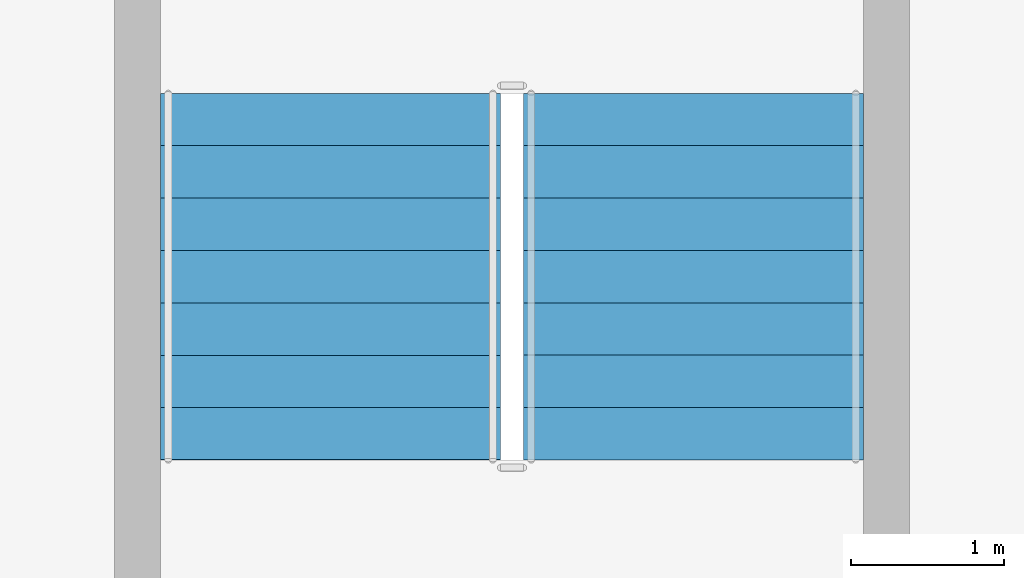
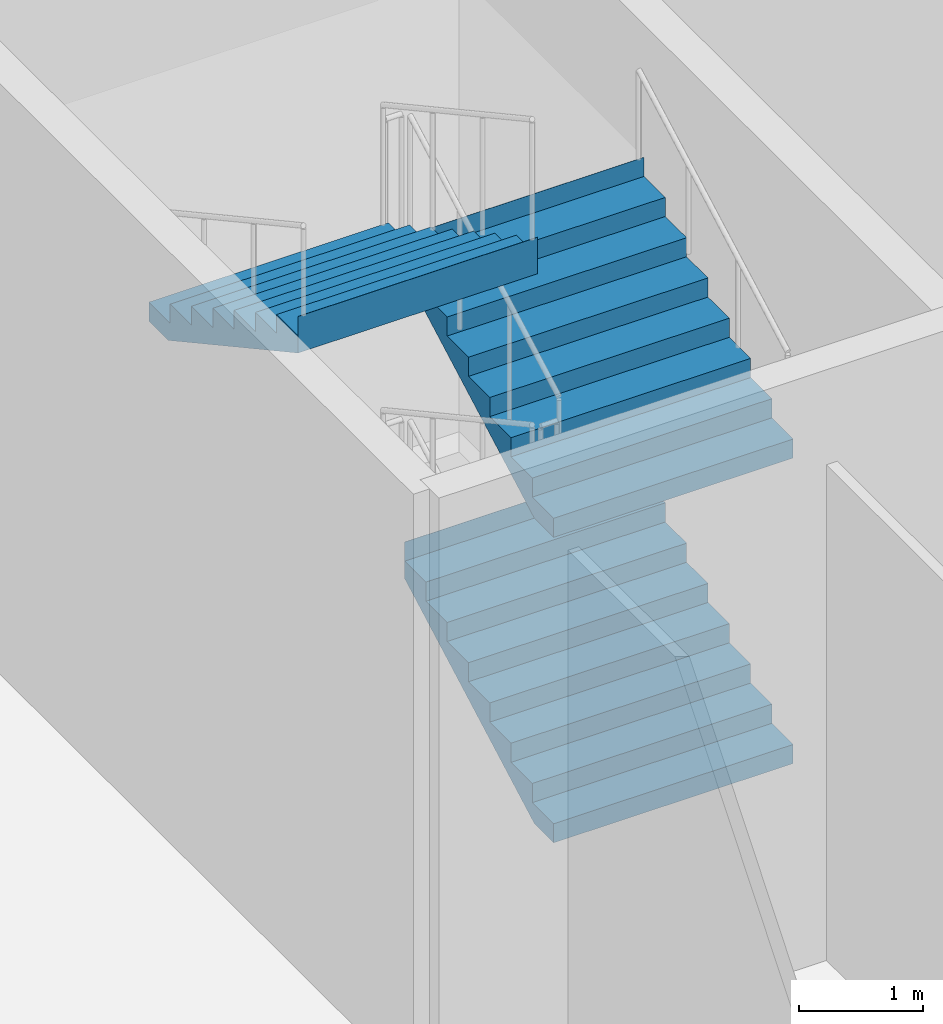
# One storey, part 34 of 37: 3 stair flights, 1 element without a shape of its own.
"""IFC4 building model written with IfcOpenShell, lengths in metres."""

from ifc_helpers import new_model, si_unit, direction, frame, origin, place, context, subcontext, project, spatial, triangles, material, type_object, element, aggregate, save


model = new_model("IFC4")

# Units and contexts
model_context = context("Model", 3, precision=1e-05, world=origin(), true_north=direction((0.0, 1.0)))
body_context = subcontext(model_context, "Body", "Model", "MODEL_VIEW")
ifc_project = project(units=[si_unit("LENGTHUNIT", "METRE"), si_unit("AREAUNIT", "SQUARE_METRE"), si_unit("VOLUMEUNIT", "CUBIC_METRE"), si_unit("PLANEANGLEUNIT", "RADIAN"), si_unit("MASSUNIT", "GRAM", prefix="KILO")], contexts=[model_context])

# Site, building, storey
site_placement = place(None, origin())
site = spatial("IfcSite", under=ifc_project, at=site_placement, CompositionType="ELEMENT")
building_placement = place(site_placement, origin())
building = spatial("IfcBuilding", under=site, at=building_placement, Name="Sahrelin Media Tower", CompositionType="ELEMENT")
storey_placement = place(building_placement, frame((0.0, 0.0, 31.39990234375)))
storey = spatial("IfcBuildingStorey", under=building, at=storey_placement, Name="L04", CompositionType="ELEMENT", Elevation=31.39990234375)

# Stair, stair flights
ifc_material = material(Name="Concrete C40/50", Category="concrete")
stair_type = type_object("IfcStairType", Name="Podium stair 2225", PredefinedType="HALF_TURN_STAIR", material=ifc_material)
stair_placement = place(storey_placement, origin())
stair = element("IfcStair", 1, at=stair_placement, inside=storey, type_object=stair_type, Name="L04 Podium stair PS1", PredefinedType="HALF_TURN_STAIR")
stair_flight_type = type_object("IfcStairFlightType", Name="Stair flight 2225", PredefinedType="STRAIGHT", material=ifc_material)
stair_flight_1_placement = place(storey_placement, frame((11.83740234375, 30.625, 0.0), z_axis=(0.0, 0.0, 1.0), x_axis=(0.0, 1.0, 0.0)))
stair_flight_1 = element("IfcStairFlight", 2, at=stair_flight_1_placement, type_object=stair_flight_type, Name="PS1 flight 1", NumberOfRisers=8, NumberOfTreads=7, PredefinedType="STRAIGHT", RiserHeight=0.1875, TreadLength=0.342857143, context=body_context, shape_type="Tessellation", body=[
    triangles([(0.3125, 1.112548828125, 0.0), (0.3125, 0.794677734375, 0.0), (0.3125, 0.476806640625, 0.0), (0.3125, 0.158935546875, 0.0), (0.3125, -0.158935546875, 0.0), (0.3125, -0.476806640625, 0.0), (0.3125, -0.794677734375, 0.0), (0.3125, -1.112548828125, 0.0), (2.39990234375, 1.112548828125, 1.1416015625), (2.39990234375, 0.794677734375, 1.1416015625), (2.39990234375, 0.476806640625, 1.1416015625), (2.39990234375, 0.158935546875, 1.1416015625), (2.39990234375, -0.158935546875, 1.1416015625), (2.39990234375, -0.476806640625, 1.1416015625), (2.39990234375, -0.794677734375, 1.1416015625), (2.39990234375, -1.112548828125, 1.1416015625), (2.39990234375, 1.112548828125, 1.5), (2.39990234375, 0.794677734375, 1.5), (2.39990234375, 0.476806640625, 1.5), (2.39990234375, 0.158935546875, 1.5), (2.39990234375, -0.158935546875, 1.5), (2.39990234375, -0.476806640625, 1.5), (2.39990234375, -0.794677734375, 1.5), (2.39990234375, -1.112548828125, 1.5), (2.39794921875, 1.112548828125, 1.5), (2.39794921875, 0.794677734375, 1.5), (2.39794921875, 0.476806640625, 1.5), (2.39794921875, 0.158935546875, 1.5), (2.39794921875, -0.158935546875, 1.5), (2.39794921875, -0.476806640625, 1.5), (2.39794921875, -0.794677734375, 1.5), (2.39794921875, -1.112548828125, 1.5), (2.39794921875, 1.112548828125, 1.3125), (2.39794921875, 0.794677734375, 1.3125), (2.39794921875, 0.476806640625, 1.3125), (2.39794921875, 0.158935546875, 1.3125), (2.39794921875, -0.158935546875, 1.3125), (2.39794921875, -0.476806640625, 1.3125), (2.39794921875, -0.794677734375, 1.3125), (2.39794921875, -1.112548828125, 1.3125), (2.05712890625, 1.112548828125, 1.3125), (2.05712890625, 0.794677734375, 1.3125), (2.05712890625, 0.476806640625, 1.3125), (2.05712890625, 0.158935546875, 1.3125), (2.05712890625, -0.158935546875, 1.3125), (2.05712890625, -0.476806640625, 1.3125), (2.05712890625, -0.794677734375, 1.3125), (2.05712890625, -1.112548828125, 1.3125), (2.05712890625, 1.112548828125, 1.125), (2.05712890625, 0.794677734375, 1.125), (2.05712890625, 0.476806640625, 1.125), (2.05712890625, 0.158935546875, 1.125), (2.05712890625, -0.158935546875, 1.125), (2.05712890625, -0.476806640625, 1.125), (2.05712890625, -0.794677734375, 1.125), (2.05712890625, -1.112548828125, 1.125), (1.71435546875, 1.112548828125, 1.125), (1.71435546875, 0.794677734375, 1.125), (1.71435546875, 0.476806640625, 1.125), (1.71435546875, 0.158935546875, 1.125), (1.71435546875, -0.158935546875, 1.125), (1.71435546875, -0.476806640625, 1.125), (1.71435546875, -0.794677734375, 1.125), (1.71435546875, -1.112548828125, 1.125), (1.71435546875, 1.112548828125, 0.9375), (1.71435546875, 0.794677734375, 0.9375), (1.71435546875, 0.476806640625, 0.9375), (1.71435546875, 0.158935546875, 0.9375), (1.71435546875, -0.158935546875, 0.9375), (1.71435546875, -0.476806640625, 0.9375), (1.71435546875, -0.794677734375, 0.9375), (1.71435546875, -1.112548828125, 0.9375), (1.371337890625, 1.112548828125, 0.9375), (1.371337890625, 0.794677734375, 0.9375), (1.371337890625, 0.476806640625, 0.9375), (1.371337890625, 0.158935546875, 0.9375), (1.371337890625, -0.158935546875, 0.9375), (1.371337890625, -0.476806640625, 0.9375), (1.371337890625, -0.794677734375, 0.9375), (1.371337890625, -1.112548828125, 0.9375), (1.371337890625, 1.112548828125, 0.75), (1.371337890625, 0.794677734375, 0.75), (1.371337890625, 0.476806640625, 0.75), (1.371337890625, 0.158935546875, 0.75), (1.371337890625, -0.158935546875, 0.75), (1.371337890625, -0.476806640625, 0.75), (1.371337890625, -0.794677734375, 0.75), (1.371337890625, -1.112548828125, 0.75), (1.028564453125, 1.112548828125, 0.75), (1.028564453125, 0.794677734375, 0.75), (1.028564453125, 0.476806640625, 0.75), (1.028564453125, 0.158935546875, 0.75), (1.028564453125, -0.158935546875, 0.75), (1.028564453125, -0.476806640625, 0.75), (1.028564453125, -0.794677734375, 0.75), (1.028564453125, -1.112548828125, 0.75), (1.028564453125, 1.112548828125, 0.5625), (1.028564453125, 0.794677734375, 0.5625), (1.028564453125, 0.476806640625, 0.5625), (1.028564453125, 0.158935546875, 0.5625), (1.028564453125, -0.158935546875, 0.5625), (1.028564453125, -0.476806640625, 0.5625), (1.028564453125, -0.794677734375, 0.5625), (1.028564453125, -1.112548828125, 0.5625), (0.685791015625, 1.112548828125, 0.5625), (0.685791015625, 0.794677734375, 0.5625), (0.685791015625, 0.476806640625, 0.5625), (0.685791015625, 0.158935546875, 0.5625), (0.685791015625, -0.158935546875, 0.5625), (0.685791015625, -0.476806640625, 0.5625), (0.685791015625, -0.794677734375, 0.5625), (0.685791015625, -1.112548828125, 0.5625), (0.685791015625, 1.112548828125, 0.375), (0.685791015625, 0.794677734375, 0.375), (0.685791015625, 0.476806640625, 0.375), (0.685791015625, 0.158935546875, 0.375), (0.685791015625, -0.158935546875, 0.375), (0.685791015625, -0.476806640625, 0.375), (0.685791015625, -0.794677734375, 0.375), (0.685791015625, -1.112548828125, 0.375), (0.3427734375, 1.112548828125, 0.375), (0.3427734375, 0.794677734375, 0.375), (0.3427734375, 0.476806640625, 0.375), (0.3427734375, 0.158935546875, 0.375), (0.3427734375, -0.158935546875, 0.375), (0.3427734375, -0.476806640625, 0.375), (0.3427734375, -0.794677734375, 0.375), (0.3427734375, -1.112548828125, 0.375), (0.3427734375, 1.112548828125, 0.1875), (0.3427734375, 0.794677734375, 0.1875), (0.3427734375, 0.476806640625, 0.1875), (0.3427734375, 0.158935546875, 0.1875), (0.3427734375, -0.158935546875, 0.1875), (0.3427734375, -0.476806640625, 0.1875), (0.3427734375, -0.794677734375, 0.1875), (0.3427734375, -1.112548828125, 0.1875), (0.0, 1.112548828125, 0.1875), (0.0, 0.794677734375, 0.1875), (0.0, 0.476806640625, 0.1875), (0.0, 0.158935546875, 0.1875), (0.0, -0.158935546875, 0.1875), (0.0, -0.476806640625, 0.1875), (0.0, -0.794677734375, 0.1875), (0.0, -1.112548828125, 0.1875), (0.0, 1.112548828125, 0.0), (0.0, 0.794677734375, 0.0), (0.0, 0.476806640625, 0.0), (0.0, 0.158935546875, 0.0), (0.0, -0.158935546875, 0.0), (0.0, -0.476806640625, 0.0), (0.0, -0.794677734375, 0.0), (0.0, -1.112548828125, 0.0)], [[1, 9, 10], [1, 10, 2], [2, 10, 11], [2, 11, 3], [3, 11, 12], [3, 12, 4], [4, 12, 13], [4, 13, 5], [5, 13, 14], [5, 14, 6], [6, 14, 15], [6, 15, 7], [7, 15, 16], [7, 16, 8], [9, 17, 18], [9, 18, 10], [10, 18, 19], [10, 19, 11], [11, 19, 20], [11, 20, 12], [12, 20, 21], [12, 21, 13], [13, 21, 22], [13, 22, 14], [14, 22, 23], [14, 23, 15], [15, 23, 24], [15, 24, 16], [17, 25, 26], [17, 26, 18], [18, 26, 27], [18, 27, 19], [19, 27, 28], [19, 28, 20], [20, 28, 29], [20, 29, 21], [21, 29, 30], [21, 30, 22], [22, 30, 31], [22, 31, 23], [23, 31, 32], [23, 32, 24], [25, 33, 34], [25, 34, 26], [26, 34, 35], [26, 35, 27], [27, 35, 36], [27, 36, 28], [28, 36, 37], [28, 37, 29], [29, 37, 38], [29, 38, 30], [30, 38, 39], [30, 39, 31], [31, 39, 40], [31, 40, 32], [33, 41, 42], [33, 42, 34], [34, 42, 43], [34, 43, 35], [35, 43, 44], [35, 44, 36], [36, 44, 45], [36, 45, 37], [37, 45, 46], [37, 46, 38], [38, 46, 47], [38, 47, 39], [39, 47, 48], [39, 48, 40], [41, 49, 50], [41, 50, 42], [42, 50, 51], [42, 51, 43], [43, 51, 52], [43, 52, 44], [44, 52, 53], [44, 53, 45], [45, 53, 54], [45, 54, 46], [46, 54, 55], [46, 55, 47], [47, 55, 56], [47, 56, 48], [49, 57, 58], [49, 58, 50], [50, 58, 59], [50, 59, 51], [51, 59, 60], [51, 60, 52], [52, 60, 61], [52, 61, 53], [53, 61, 62], [53, 62, 54], [54, 62, 63], [54, 63, 55], [55, 63, 64], [55, 64, 56], [57, 65, 66], [57, 66, 58], [58, 66, 67], [58, 67, 59], [59, 67, 68], [59, 68, 60], [60, 68, 69], [60, 69, 61], [61, 69, 70], [61, 70, 62], [62, 70, 71], [62, 71, 63], [63, 71, 72], [63, 72, 64], [65, 73, 74], [65, 74, 66], [66, 74, 75], [66, 75, 67], [67, 75, 76], [67, 76, 68], [68, 76, 77], [68, 77, 69], [69, 77, 78], [69, 78, 70], [70, 78, 79], [70, 79, 71], [71, 79, 80], [71, 80, 72], [73, 81, 82], [73, 82, 74], [74, 82, 83], [74, 83, 75], [75, 83, 84], [75, 84, 76], [76, 84, 85], [76, 85, 77], [77, 85, 86], [77, 86, 78], [78, 86, 87], [78, 87, 79], [79, 87, 88], [79, 88, 80], [81, 89, 90], [81, 90, 82], [82, 90, 91], [82, 91, 83], [83, 91, 92], [83, 92, 84], [84, 92, 93], [84, 93, 85], [85, 93, 94], [85, 94, 86], [86, 94, 95], [86, 95, 87], [87, 95, 96], [87, 96, 88], [89, 97, 98], [89, 98, 90], [90, 98, 99], [90, 99, 91], [91, 99, 100], [91, 100, 92], [92, 100, 101], [92, 101, 93], [93, 101, 102], [93, 102, 94], [94, 102, 103], [94, 103, 95], [95, 103, 104], [95, 104, 96], [97, 105, 106], [97, 106, 98], [98, 106, 107], [98, 107, 99], [99, 107, 108], [99, 108, 100], [100, 108, 109], [100, 109, 101], [101, 109, 110], [101, 110, 102], [102, 110, 111], [102, 111, 103], [103, 111, 112], [103, 112, 104], [105, 113, 114], [105, 114, 106], [106, 114, 115], [106, 115, 107], [107, 115, 116], [107, 116, 108], [108, 116, 117], [108, 117, 109], [109, 117, 118], [109, 118, 110], [110, 118, 119], [110, 119, 111], [111, 119, 120], [111, 120, 112], [113, 121, 122], [113, 122, 114], [114, 122, 123], [114, 123, 115], [115, 123, 124], [115, 124, 116], [116, 124, 125], [116, 125, 117], [117, 125, 126], [117, 126, 118], [118, 126, 127], [118, 127, 119], [119, 127, 128], [119, 128, 120], [121, 129, 130], [121, 130, 122], [122, 130, 131], [122, 131, 123], [123, 131, 132], [123, 132, 124], [124, 132, 133], [124, 133, 125], [125, 133, 134], [125, 134, 126], [126, 134, 135], [126, 135, 127], [127, 135, 136], [127, 136, 128], [129, 137, 138], [129, 138, 130], [130, 138, 139], [130, 139, 131], [131, 139, 140], [131, 140, 132], [132, 140, 141], [132, 141, 133], [133, 141, 142], [133, 142, 134], [134, 142, 143], [134, 143, 135], [135, 143, 144], [135, 144, 136], [137, 145, 146], [137, 146, 138], [138, 146, 147], [138, 147, 139], [139, 147, 148], [139, 148, 140], [140, 148, 149], [140, 149, 141], [141, 149, 150], [141, 150, 142], [142, 150, 151], [142, 151, 143], [143, 151, 152], [143, 152, 144], [145, 1, 2], [145, 2, 146], [146, 2, 3], [146, 3, 147], [147, 3, 4], [147, 4, 148], [148, 4, 5], [148, 5, 149], [149, 5, 6], [149, 6, 150], [150, 6, 7], [150, 7, 151], [151, 7, 8], [151, 8, 152], [8, 144, 152], [1, 145, 137], [136, 120, 128], [129, 121, 113], [120, 104, 112], [113, 105, 97], [104, 88, 96], [97, 89, 81], [88, 72, 80], [81, 73, 65], [72, 56, 64], [65, 57, 49], [16, 40, 48], [9, 41, 33], [40, 24, 32], [33, 25, 17], [8, 136, 144], [1, 137, 129], [8, 88, 104], [1, 97, 81], [40, 16, 24], [33, 17, 9], [120, 136, 8], [113, 1, 129], [16, 72, 88], [9, 81, 65], [48, 56, 16], [41, 9, 49], [104, 120, 8], [97, 1, 113], [72, 16, 56], [65, 49, 9], [8, 16, 88], [1, 81, 9]], closed=True),
])
stair_flight_2_placement = place(storey_placement, frame((11.83740234375, 30.625, 3.0), z_axis=(0.0, 0.0, 1.0), x_axis=(0.0, 1.0, 0.0)))
stair_flight_2 = element("IfcStairFlight", 3, at=stair_flight_2_placement, type_object=stair_flight_type, Name="PS1 flight 3", NumberOfRisers=8, NumberOfTreads=7, PredefinedType="STRAIGHT", RiserHeight=0.1875, TreadLength=0.342857143, context=body_context, shape_type="Tessellation", body=[
    triangles([(0.3125, 1.112548828125, 0.0), (0.3125, 0.794677734375, 0.0), (0.3125, 0.476806640625, 0.0), (0.3125, 0.158935546875, 0.0), (0.3125, -0.158935546875, 0.0), (0.3125, -0.476806640625, 0.0), (0.3125, -0.794677734375, 0.0), (0.3125, -1.112548828125, 0.0), (2.39990234375, 1.112548828125, 1.1416015625), (2.39990234375, 0.794677734375, 1.1416015625), (2.39990234375, 0.476806640625, 1.1416015625), (2.39990234375, 0.158935546875, 1.1416015625), (2.39990234375, -0.158935546875, 1.1416015625), (2.39990234375, -0.476806640625, 1.1416015625), (2.39990234375, -0.794677734375, 1.1416015625), (2.39990234375, -1.112548828125, 1.1416015625), (2.39990234375, 1.112548828125, 1.5), (2.39990234375, 0.794677734375, 1.5), (2.39990234375, 0.476806640625, 1.5), (2.39990234375, 0.158935546875, 1.5), (2.39990234375, -0.158935546875, 1.5), (2.39990234375, -0.476806640625, 1.5), (2.39990234375, -0.794677734375, 1.5), (2.39990234375, -1.112548828125, 1.5), (2.39794921875, 1.112548828125, 1.5), (2.39794921875, 0.794677734375, 1.5), (2.39794921875, 0.476806640625, 1.5), (2.39794921875, 0.158935546875, 1.5), (2.39794921875, -0.158935546875, 1.5), (2.39794921875, -0.476806640625, 1.5), (2.39794921875, -0.794677734375, 1.5), (2.39794921875, -1.112548828125, 1.5), (2.39794921875, 1.112548828125, 1.3125), (2.39794921875, 0.794677734375, 1.3125), (2.39794921875, 0.476806640625, 1.3125), (2.39794921875, 0.158935546875, 1.3125), (2.39794921875, -0.158935546875, 1.3125), (2.39794921875, -0.476806640625, 1.3125), (2.39794921875, -0.794677734375, 1.3125), (2.39794921875, -1.112548828125, 1.3125), (2.05712890625, 1.112548828125, 1.3125), (2.05712890625, 0.794677734375, 1.3125), (2.05712890625, 0.476806640625, 1.3125), (2.05712890625, 0.158935546875, 1.3125), (2.05712890625, -0.158935546875, 1.3125), (2.05712890625, -0.476806640625, 1.3125), (2.05712890625, -0.794677734375, 1.3125), (2.05712890625, -1.112548828125, 1.3125), (2.05712890625, 1.112548828125, 1.125), (2.05712890625, 0.794677734375, 1.125), (2.05712890625, 0.476806640625, 1.125), (2.05712890625, 0.158935546875, 1.125), (2.05712890625, -0.158935546875, 1.125), (2.05712890625, -0.476806640625, 1.125), (2.05712890625, -0.794677734375, 1.125), (2.05712890625, -1.112548828125, 1.125), (1.71435546875, 1.112548828125, 1.125), (1.71435546875, 0.794677734375, 1.125), (1.71435546875, 0.476806640625, 1.125), (1.71435546875, 0.158935546875, 1.125), (1.71435546875, -0.158935546875, 1.125), (1.71435546875, -0.476806640625, 1.125), (1.71435546875, -0.794677734375, 1.125), (1.71435546875, -1.112548828125, 1.125), (1.71435546875, 1.112548828125, 0.9375), (1.71435546875, 0.794677734375, 0.9375), (1.71435546875, 0.476806640625, 0.9375), (1.71435546875, 0.158935546875, 0.9375), (1.71435546875, -0.158935546875, 0.9375), (1.71435546875, -0.476806640625, 0.9375), (1.71435546875, -0.794677734375, 0.9375), (1.71435546875, -1.112548828125, 0.9375), (1.371337890625, 1.112548828125, 0.9375), (1.371337890625, 0.794677734375, 0.9375), (1.371337890625, 0.476806640625, 0.9375), (1.371337890625, 0.158935546875, 0.9375), (1.371337890625, -0.158935546875, 0.9375), (1.371337890625, -0.476806640625, 0.9375), (1.371337890625, -0.794677734375, 0.9375), (1.371337890625, -1.112548828125, 0.9375), (1.371337890625, 1.112548828125, 0.75), (1.371337890625, 0.794677734375, 0.75), (1.371337890625, 0.476806640625, 0.75), (1.371337890625, 0.158935546875, 0.75), (1.371337890625, -0.158935546875, 0.75), (1.371337890625, -0.476806640625, 0.75), (1.371337890625, -0.794677734375, 0.75), (1.371337890625, -1.112548828125, 0.75), (1.028564453125, 1.112548828125, 0.75), (1.028564453125, 0.794677734375, 0.75), (1.028564453125, 0.476806640625, 0.75), (1.028564453125, 0.158935546875, 0.75), (1.028564453125, -0.158935546875, 0.75), (1.028564453125, -0.476806640625, 0.75), (1.028564453125, -0.794677734375, 0.75), (1.028564453125, -1.112548828125, 0.75), (1.028564453125, 1.112548828125, 0.5625), (1.028564453125, 0.794677734375, 0.5625), (1.028564453125, 0.476806640625, 0.5625), (1.028564453125, 0.158935546875, 0.5625), (1.028564453125, -0.158935546875, 0.5625), (1.028564453125, -0.476806640625, 0.5625), (1.028564453125, -0.794677734375, 0.5625), (1.028564453125, -1.112548828125, 0.5625), (0.685791015625, 1.112548828125, 0.5625), (0.685791015625, 0.794677734375, 0.5625), (0.685791015625, 0.476806640625, 0.5625), (0.685791015625, 0.158935546875, 0.5625), (0.685791015625, -0.158935546875, 0.5625), (0.685791015625, -0.476806640625, 0.5625), (0.685791015625, -0.794677734375, 0.5625), (0.685791015625, -1.112548828125, 0.5625), (0.685791015625, 1.112548828125, 0.375), (0.685791015625, 0.794677734375, 0.375), (0.685791015625, 0.476806640625, 0.375), (0.685791015625, 0.158935546875, 0.375), (0.685791015625, -0.158935546875, 0.375), (0.685791015625, -0.476806640625, 0.375), (0.685791015625, -0.794677734375, 0.375), (0.685791015625, -1.112548828125, 0.375), (0.3427734375, 1.112548828125, 0.375), (0.3427734375, 0.794677734375, 0.375), (0.3427734375, 0.476806640625, 0.375), (0.3427734375, 0.158935546875, 0.375), (0.3427734375, -0.158935546875, 0.375), (0.3427734375, -0.476806640625, 0.375), (0.3427734375, -0.794677734375, 0.375), (0.3427734375, -1.112548828125, 0.375), (0.3427734375, 1.112548828125, 0.1875), (0.3427734375, 0.794677734375, 0.1875), (0.3427734375, 0.476806640625, 0.1875), (0.3427734375, 0.158935546875, 0.1875), (0.3427734375, -0.158935546875, 0.1875), (0.3427734375, -0.476806640625, 0.1875), (0.3427734375, -0.794677734375, 0.1875), (0.3427734375, -1.112548828125, 0.1875), (0.0, 1.112548828125, 0.1875), (0.0, 0.794677734375, 0.1875), (0.0, 0.476806640625, 0.1875), (0.0, 0.158935546875, 0.1875), (0.0, -0.158935546875, 0.1875), (0.0, -0.476806640625, 0.1875), (0.0, -0.794677734375, 0.1875), (0.0, -1.112548828125, 0.1875), (0.0, 1.112548828125, 0.0), (0.0, 0.794677734375, 0.0), (0.0, 0.476806640625, 0.0), (0.0, 0.158935546875, 0.0), (0.0, -0.158935546875, 0.0), (0.0, -0.476806640625, 0.0), (0.0, -0.794677734375, 0.0), (0.0, -1.112548828125, 0.0)], [[1, 9, 10], [1, 10, 2], [2, 10, 11], [2, 11, 3], [3, 11, 12], [3, 12, 4], [4, 12, 13], [4, 13, 5], [5, 13, 14], [5, 14, 6], [6, 14, 15], [6, 15, 7], [7, 15, 16], [7, 16, 8], [9, 17, 18], [9, 18, 10], [10, 18, 19], [10, 19, 11], [11, 19, 20], [11, 20, 12], [12, 20, 21], [12, 21, 13], [13, 21, 22], [13, 22, 14], [14, 22, 23], [14, 23, 15], [15, 23, 24], [15, 24, 16], [17, 25, 26], [17, 26, 18], [18, 26, 27], [18, 27, 19], [19, 27, 28], [19, 28, 20], [20, 28, 29], [20, 29, 21], [21, 29, 30], [21, 30, 22], [22, 30, 31], [22, 31, 23], [23, 31, 32], [23, 32, 24], [25, 33, 34], [25, 34, 26], [26, 34, 35], [26, 35, 27], [27, 35, 36], [27, 36, 28], [28, 36, 37], [28, 37, 29], [29, 37, 38], [29, 38, 30], [30, 38, 39], [30, 39, 31], [31, 39, 40], [31, 40, 32], [33, 41, 42], [33, 42, 34], [34, 42, 43], [34, 43, 35], [35, 43, 44], [35, 44, 36], [36, 44, 45], [36, 45, 37], [37, 45, 46], [37, 46, 38], [38, 46, 47], [38, 47, 39], [39, 47, 48], [39, 48, 40], [41, 49, 50], [41, 50, 42], [42, 50, 51], [42, 51, 43], [43, 51, 52], [43, 52, 44], [44, 52, 53], [44, 53, 45], [45, 53, 54], [45, 54, 46], [46, 54, 55], [46, 55, 47], [47, 55, 56], [47, 56, 48], [49, 57, 58], [49, 58, 50], [50, 58, 59], [50, 59, 51], [51, 59, 60], [51, 60, 52], [52, 60, 61], [52, 61, 53], [53, 61, 62], [53, 62, 54], [54, 62, 63], [54, 63, 55], [55, 63, 64], [55, 64, 56], [57, 65, 66], [57, 66, 58], [58, 66, 67], [58, 67, 59], [59, 67, 68], [59, 68, 60], [60, 68, 69], [60, 69, 61], [61, 69, 70], [61, 70, 62], [62, 70, 71], [62, 71, 63], [63, 71, 72], [63, 72, 64], [65, 73, 74], [65, 74, 66], [66, 74, 75], [66, 75, 67], [67, 75, 76], [67, 76, 68], [68, 76, 77], [68, 77, 69], [69, 77, 78], [69, 78, 70], [70, 78, 79], [70, 79, 71], [71, 79, 80], [71, 80, 72], [73, 81, 82], [73, 82, 74], [74, 82, 83], [74, 83, 75], [75, 83, 84], [75, 84, 76], [76, 84, 85], [76, 85, 77], [77, 85, 86], [77, 86, 78], [78, 86, 87], [78, 87, 79], [79, 87, 88], [79, 88, 80], [81, 89, 90], [81, 90, 82], [82, 90, 91], [82, 91, 83], [83, 91, 92], [83, 92, 84], [84, 92, 93], [84, 93, 85], [85, 93, 94], [85, 94, 86], [86, 94, 95], [86, 95, 87], [87, 95, 96], [87, 96, 88], [89, 97, 98], [89, 98, 90], [90, 98, 99], [90, 99, 91], [91, 99, 100], [91, 100, 92], [92, 100, 101], [92, 101, 93], [93, 101, 102], [93, 102, 94], [94, 102, 103], [94, 103, 95], [95, 103, 104], [95, 104, 96], [97, 105, 106], [97, 106, 98], [98, 106, 107], [98, 107, 99], [99, 107, 108], [99, 108, 100], [100, 108, 109], [100, 109, 101], [101, 109, 110], [101, 110, 102], [102, 110, 111], [102, 111, 103], [103, 111, 112], [103, 112, 104], [105, 113, 114], [105, 114, 106], [106, 114, 115], [106, 115, 107], [107, 115, 116], [107, 116, 108], [108, 116, 117], [108, 117, 109], [109, 117, 118], [109, 118, 110], [110, 118, 119], [110, 119, 111], [111, 119, 120], [111, 120, 112], [113, 121, 122], [113, 122, 114], [114, 122, 123], [114, 123, 115], [115, 123, 124], [115, 124, 116], [116, 124, 125], [116, 125, 117], [117, 125, 126], [117, 126, 118], [118, 126, 127], [118, 127, 119], [119, 127, 128], [119, 128, 120], [121, 129, 130], [121, 130, 122], [122, 130, 131], [122, 131, 123], [123, 131, 132], [123, 132, 124], [124, 132, 133], [124, 133, 125], [125, 133, 134], [125, 134, 126], [126, 134, 135], [126, 135, 127], [127, 135, 136], [127, 136, 128], [129, 137, 138], [129, 138, 130], [130, 138, 139], [130, 139, 131], [131, 139, 140], [131, 140, 132], [132, 140, 141], [132, 141, 133], [133, 141, 142], [133, 142, 134], [134, 142, 143], [134, 143, 135], [135, 143, 144], [135, 144, 136], [137, 145, 146], [137, 146, 138], [138, 146, 147], [138, 147, 139], [139, 147, 148], [139, 148, 140], [140, 148, 149], [140, 149, 141], [141, 149, 150], [141, 150, 142], [142, 150, 151], [142, 151, 143], [143, 151, 152], [143, 152, 144], [145, 1, 2], [145, 2, 146], [146, 2, 3], [146, 3, 147], [147, 3, 4], [147, 4, 148], [148, 4, 5], [148, 5, 149], [149, 5, 6], [149, 6, 150], [150, 6, 7], [150, 7, 151], [151, 7, 8], [151, 8, 152], [8, 144, 152], [1, 145, 137], [136, 120, 128], [129, 121, 113], [120, 104, 112], [113, 105, 97], [104, 88, 96], [97, 89, 81], [88, 72, 80], [81, 73, 65], [72, 56, 64], [65, 57, 49], [16, 40, 48], [9, 41, 33], [40, 24, 32], [33, 25, 17], [8, 136, 144], [1, 137, 129], [8, 88, 104], [1, 97, 81], [40, 16, 24], [33, 17, 9], [120, 136, 8], [113, 1, 129], [16, 72, 88], [9, 81, 65], [48, 56, 16], [41, 9, 49], [104, 120, 8], [97, 1, 113], [72, 16, 56], [65, 49, 9], [8, 16, 88], [1, 81, 9]], closed=True),
])
stair_flight_3_placement = place(storey_placement, frame((9.46240234375, 33.02490234375, 4.5), z_axis=(0.0, 0.0, 1.0), x_axis=(0.0, -1.0, 0.0)))
stair_flight_3 = element("IfcStairFlight", 4, at=stair_flight_3_placement, type_object=stair_flight_type, Name="PS1 flight 4", NumberOfRisers=8, NumberOfTreads=7, PredefinedType="STRAIGHT", RiserHeight=0.1875, TreadLength=0.342857143, context=body_context, shape_type="Tessellation", body=[
    triangles([(0.3125, 1.112548828125, 0.0), (0.3125, 0.794677734375, 0.0), (0.3125, 0.476806640625, 0.0), (0.3125, 0.158935546875, 0.0), (0.3125, -0.158935546875, 0.0), (0.3125, -0.476806640625, 0.0), (0.3125, -0.794677734375, 0.0), (0.3125, -1.112548828125, 0.0), (2.39990234375, 1.112548828125, 1.1416015625), (2.39990234375, 0.794677734375, 1.1416015625), (2.39990234375, 0.476806640625, 1.1416015625), (2.39990234375, 0.158935546875, 1.1416015625), (2.39990234375, -0.158935546875, 1.1416015625), (2.39990234375, -0.476806640625, 1.1416015625), (2.39990234375, -0.794677734375, 1.1416015625), (2.39990234375, -1.112548828125, 1.1416015625), (2.39990234375, 1.112548828125, 1.5), (2.39990234375, 0.794677734375, 1.5), (2.39990234375, 0.476806640625, 1.5), (2.39990234375, 0.158935546875, 1.5), (2.39990234375, -0.158935546875, 1.5), (2.39990234375, -0.476806640625, 1.5), (2.39990234375, -0.794677734375, 1.5), (2.39990234375, -1.112548828125, 1.5), (2.39794921875, 1.112548828125, 1.5), (2.39794921875, 0.794677734375, 1.5), (2.39794921875, 0.476806640625, 1.5), (2.39794921875, 0.158935546875, 1.5), (2.39794921875, -0.158935546875, 1.5), (2.39794921875, -0.476806640625, 1.5), (2.39794921875, -0.794677734375, 1.5), (2.39794921875, -1.112548828125, 1.5), (2.39794921875, 1.112548828125, 1.3125), (2.39794921875, 0.794677734375, 1.3125), (2.39794921875, 0.476806640625, 1.3125), (2.39794921875, 0.158935546875, 1.3125), (2.39794921875, -0.158935546875, 1.3125), (2.39794921875, -0.476806640625, 1.3125), (2.39794921875, -0.794677734375, 1.3125), (2.39794921875, -1.112548828125, 1.3125), (2.05712890625, 1.112548828125, 1.3125), (2.05712890625, 0.794677734375, 1.3125), (2.05712890625, 0.476806640625, 1.3125), (2.05712890625, 0.158935546875, 1.3125), (2.05712890625, -0.158935546875, 1.3125), (2.05712890625, -0.476806640625, 1.3125), (2.05712890625, -0.794677734375, 1.3125), (2.05712890625, -1.112548828125, 1.3125), (2.05712890625, 1.112548828125, 1.125), (2.05712890625, 0.794677734375, 1.125), (2.05712890625, 0.476806640625, 1.125), (2.05712890625, 0.158935546875, 1.125), (2.05712890625, -0.158935546875, 1.125), (2.05712890625, -0.476806640625, 1.125), (2.05712890625, -0.794677734375, 1.125), (2.05712890625, -1.112548828125, 1.125), (1.71435546875, 1.112548828125, 1.125), (1.71435546875, 0.794677734375, 1.125), (1.71435546875, 0.476806640625, 1.125), (1.71435546875, 0.158935546875, 1.125), (1.71435546875, -0.158935546875, 1.125), (1.71435546875, -0.476806640625, 1.125), (1.71435546875, -0.794677734375, 1.125), (1.71435546875, -1.112548828125, 1.125), (1.71435546875, 1.112548828125, 0.9375), (1.71435546875, 0.794677734375, 0.9375), (1.71435546875, 0.476806640625, 0.9375), (1.71435546875, 0.158935546875, 0.9375), (1.71435546875, -0.158935546875, 0.9375), (1.71435546875, -0.476806640625, 0.9375), (1.71435546875, -0.794677734375, 0.9375), (1.71435546875, -1.112548828125, 0.9375), (1.371337890625, 1.112548828125, 0.9375), (1.371337890625, 0.794677734375, 0.9375), (1.371337890625, 0.476806640625, 0.9375), (1.371337890625, 0.158935546875, 0.9375), (1.371337890625, -0.158935546875, 0.9375), (1.371337890625, -0.476806640625, 0.9375), (1.371337890625, -0.794677734375, 0.9375), (1.371337890625, -1.112548828125, 0.9375), (1.371337890625, 1.112548828125, 0.75), (1.371337890625, 0.794677734375, 0.75), (1.371337890625, 0.476806640625, 0.75), (1.371337890625, 0.158935546875, 0.75), (1.371337890625, -0.158935546875, 0.75), (1.371337890625, -0.476806640625, 0.75), (1.371337890625, -0.794677734375, 0.75), (1.371337890625, -1.112548828125, 0.75), (1.028564453125, 1.112548828125, 0.75), (1.028564453125, 0.794677734375, 0.75), (1.028564453125, 0.476806640625, 0.75), (1.028564453125, 0.158935546875, 0.75), (1.028564453125, -0.158935546875, 0.75), (1.028564453125, -0.476806640625, 0.75), (1.028564453125, -0.794677734375, 0.75), (1.028564453125, -1.112548828125, 0.75), (1.028564453125, 1.112548828125, 0.5625), (1.028564453125, 0.794677734375, 0.5625), (1.028564453125, 0.476806640625, 0.5625), (1.028564453125, 0.158935546875, 0.5625), (1.028564453125, -0.158935546875, 0.5625), (1.028564453125, -0.476806640625, 0.5625), (1.028564453125, -0.794677734375, 0.5625), (1.028564453125, -1.112548828125, 0.5625), (0.685791015625, 1.112548828125, 0.5625), (0.685791015625, 0.794677734375, 0.5625), (0.685791015625, 0.476806640625, 0.5625), (0.685791015625, 0.158935546875, 0.5625), (0.685791015625, -0.158935546875, 0.5625), (0.685791015625, -0.476806640625, 0.5625), (0.685791015625, -0.794677734375, 0.5625), (0.685791015625, -1.112548828125, 0.5625), (0.685791015625, 1.112548828125, 0.375), (0.685791015625, 0.794677734375, 0.375), (0.685791015625, 0.476806640625, 0.375), (0.685791015625, 0.158935546875, 0.375), (0.685791015625, -0.158935546875, 0.375), (0.685791015625, -0.476806640625, 0.375), (0.685791015625, -0.794677734375, 0.375), (0.685791015625, -1.112548828125, 0.375), (0.3427734375, 1.112548828125, 0.375), (0.3427734375, 0.794677734375, 0.375), (0.3427734375, 0.476806640625, 0.375), (0.3427734375, 0.158935546875, 0.375), (0.3427734375, -0.158935546875, 0.375), (0.3427734375, -0.476806640625, 0.375), (0.3427734375, -0.794677734375, 0.375), (0.3427734375, -1.112548828125, 0.375), (0.3427734375, 1.112548828125, 0.1875), (0.3427734375, 0.794677734375, 0.1875), (0.3427734375, 0.476806640625, 0.1875), (0.3427734375, 0.158935546875, 0.1875), (0.3427734375, -0.158935546875, 0.1875), (0.3427734375, -0.476806640625, 0.1875), (0.3427734375, -0.794677734375, 0.1875), (0.3427734375, -1.112548828125, 0.1875), (0.0, 1.112548828125, 0.1875), (0.0, 0.794677734375, 0.1875), (0.0, 0.476806640625, 0.1875), (0.0, 0.158935546875, 0.1875), (0.0, -0.158935546875, 0.1875), (0.0, -0.476806640625, 0.1875), (0.0, -0.794677734375, 0.1875), (0.0, -1.112548828125, 0.1875), (0.0, 1.112548828125, 0.0), (0.0, 0.794677734375, 0.0), (0.0, 0.476806640625, 0.0), (0.0, 0.158935546875, 0.0), (0.0, -0.158935546875, 0.0), (0.0, -0.476806640625, 0.0), (0.0, -0.794677734375, 0.0), (0.0, -1.112548828125, 0.0)], [[1, 9, 10], [1, 10, 2], [2, 10, 11], [2, 11, 3], [3, 11, 12], [3, 12, 4], [4, 12, 13], [4, 13, 5], [5, 13, 14], [5, 14, 6], [6, 14, 15], [6, 15, 7], [7, 15, 16], [7, 16, 8], [9, 17, 18], [9, 18, 10], [10, 18, 19], [10, 19, 11], [11, 19, 20], [11, 20, 12], [12, 20, 21], [12, 21, 13], [13, 21, 22], [13, 22, 14], [14, 22, 23], [14, 23, 15], [15, 23, 24], [15, 24, 16], [17, 25, 26], [17, 26, 18], [18, 26, 27], [18, 27, 19], [19, 27, 28], [19, 28, 20], [20, 28, 29], [20, 29, 21], [21, 29, 30], [21, 30, 22], [22, 30, 31], [22, 31, 23], [23, 31, 32], [23, 32, 24], [25, 33, 34], [25, 34, 26], [26, 34, 35], [26, 35, 27], [27, 35, 36], [27, 36, 28], [28, 36, 37], [28, 37, 29], [29, 37, 38], [29, 38, 30], [30, 38, 39], [30, 39, 31], [31, 39, 40], [31, 40, 32], [33, 41, 42], [33, 42, 34], [34, 42, 43], [34, 43, 35], [35, 43, 44], [35, 44, 36], [36, 44, 45], [36, 45, 37], [37, 45, 46], [37, 46, 38], [38, 46, 47], [38, 47, 39], [39, 47, 48], [39, 48, 40], [41, 49, 50], [41, 50, 42], [42, 50, 51], [42, 51, 43], [43, 51, 52], [43, 52, 44], [44, 52, 53], [44, 53, 45], [45, 53, 54], [45, 54, 46], [46, 54, 55], [46, 55, 47], [47, 55, 56], [47, 56, 48], [49, 57, 58], [49, 58, 50], [50, 58, 59], [50, 59, 51], [51, 59, 60], [51, 60, 52], [52, 60, 61], [52, 61, 53], [53, 61, 62], [53, 62, 54], [54, 62, 63], [54, 63, 55], [55, 63, 64], [55, 64, 56], [57, 65, 66], [57, 66, 58], [58, 66, 67], [58, 67, 59], [59, 67, 68], [59, 68, 60], [60, 68, 69], [60, 69, 61], [61, 69, 70], [61, 70, 62], [62, 70, 71], [62, 71, 63], [63, 71, 72], [63, 72, 64], [65, 73, 74], [65, 74, 66], [66, 74, 75], [66, 75, 67], [67, 75, 76], [67, 76, 68], [68, 76, 77], [68, 77, 69], [69, 77, 78], [69, 78, 70], [70, 78, 79], [70, 79, 71], [71, 79, 80], [71, 80, 72], [73, 81, 82], [73, 82, 74], [74, 82, 83], [74, 83, 75], [75, 83, 84], [75, 84, 76], [76, 84, 85], [76, 85, 77], [77, 85, 86], [77, 86, 78], [78, 86, 87], [78, 87, 79], [79, 87, 88], [79, 88, 80], [81, 89, 90], [81, 90, 82], [82, 90, 91], [82, 91, 83], [83, 91, 92], [83, 92, 84], [84, 92, 93], [84, 93, 85], [85, 93, 94], [85, 94, 86], [86, 94, 95], [86, 95, 87], [87, 95, 96], [87, 96, 88], [89, 97, 98], [89, 98, 90], [90, 98, 99], [90, 99, 91], [91, 99, 100], [91, 100, 92], [92, 100, 101], [92, 101, 93], [93, 101, 102], [93, 102, 94], [94, 102, 103], [94, 103, 95], [95, 103, 104], [95, 104, 96], [97, 105, 106], [97, 106, 98], [98, 106, 107], [98, 107, 99], [99, 107, 108], [99, 108, 100], [100, 108, 109], [100, 109, 101], [101, 109, 110], [101, 110, 102], [102, 110, 111], [102, 111, 103], [103, 111, 112], [103, 112, 104], [105, 113, 114], [105, 114, 106], [106, 114, 115], [106, 115, 107], [107, 115, 116], [107, 116, 108], [108, 116, 117], [108, 117, 109], [109, 117, 118], [109, 118, 110], [110, 118, 119], [110, 119, 111], [111, 119, 120], [111, 120, 112], [113, 121, 122], [113, 122, 114], [114, 122, 123], [114, 123, 115], [115, 123, 124], [115, 124, 116], [116, 124, 125], [116, 125, 117], [117, 125, 126], [117, 126, 118], [118, 126, 127], [118, 127, 119], [119, 127, 128], [119, 128, 120], [121, 129, 130], [121, 130, 122], [122, 130, 131], [122, 131, 123], [123, 131, 132], [123, 132, 124], [124, 132, 133], [124, 133, 125], [125, 133, 134], [125, 134, 126], [126, 134, 135], [126, 135, 127], [127, 135, 136], [127, 136, 128], [129, 137, 138], [129, 138, 130], [130, 138, 139], [130, 139, 131], [131, 139, 140], [131, 140, 132], [132, 140, 141], [132, 141, 133], [133, 141, 142], [133, 142, 134], [134, 142, 143], [134, 143, 135], [135, 143, 144], [135, 144, 136], [137, 145, 146], [137, 146, 138], [138, 146, 147], [138, 147, 139], [139, 147, 148], [139, 148, 140], [140, 148, 149], [140, 149, 141], [141, 149, 150], [141, 150, 142], [142, 150, 151], [142, 151, 143], [143, 151, 152], [143, 152, 144], [145, 1, 2], [145, 2, 146], [146, 2, 3], [146, 3, 147], [147, 3, 4], [147, 4, 148], [148, 4, 5], [148, 5, 149], [149, 5, 6], [149, 6, 150], [150, 6, 7], [150, 7, 151], [151, 7, 8], [151, 8, 152], [8, 144, 152], [1, 145, 137], [136, 120, 128], [129, 121, 113], [120, 104, 112], [113, 105, 97], [104, 88, 96], [97, 89, 81], [88, 72, 80], [81, 73, 65], [72, 56, 64], [65, 57, 49], [16, 40, 48], [9, 41, 33], [40, 24, 32], [33, 25, 17], [8, 136, 144], [1, 137, 129], [8, 88, 104], [1, 97, 81], [40, 16, 24], [33, 17, 9], [120, 136, 8], [113, 1, 129], [16, 72, 88], [9, 81, 65], [48, 56, 16], [41, 9, 49], [104, 120, 8], [97, 1, 113], [72, 16, 56], [65, 49, 9], [8, 16, 88], [1, 81, 9]], closed=True),
])
aggregate(stair, [stair_flight_1, stair_flight_2, stair_flight_3])

save(model, "model.ifc")
